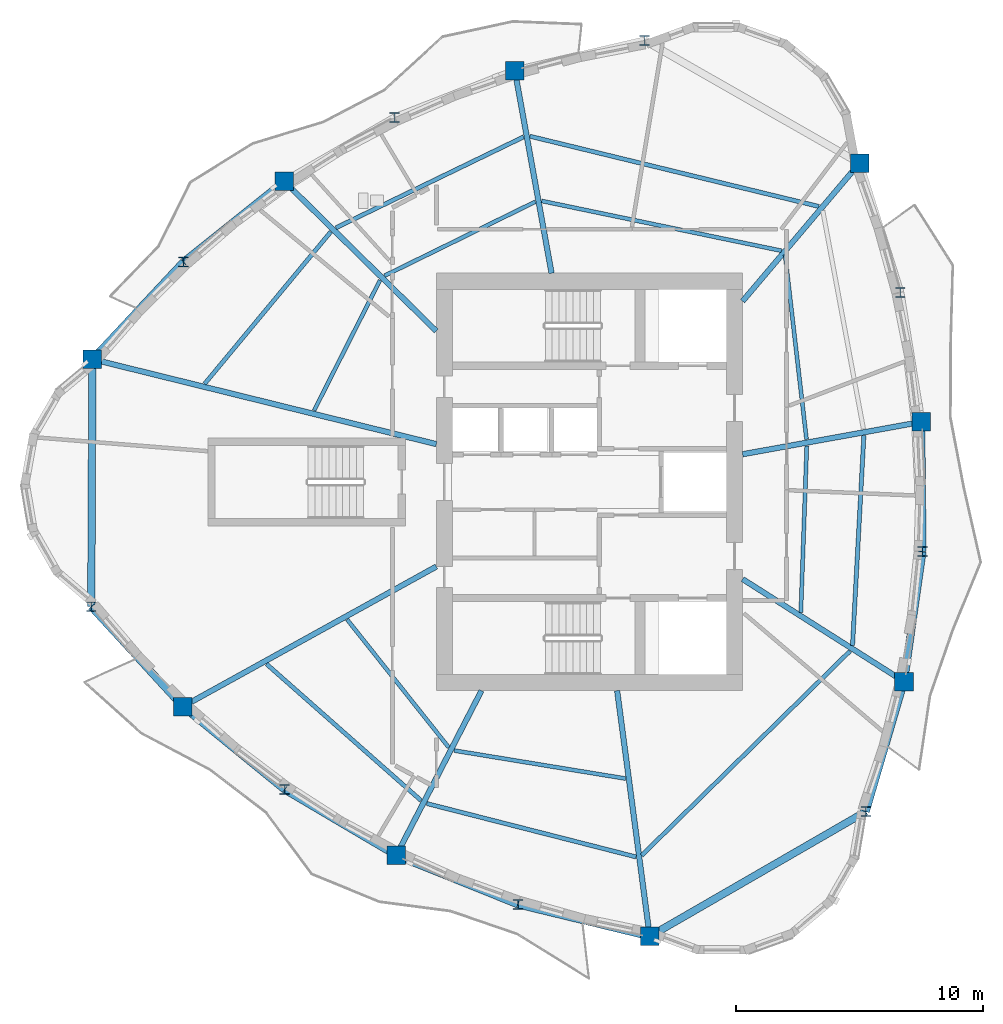
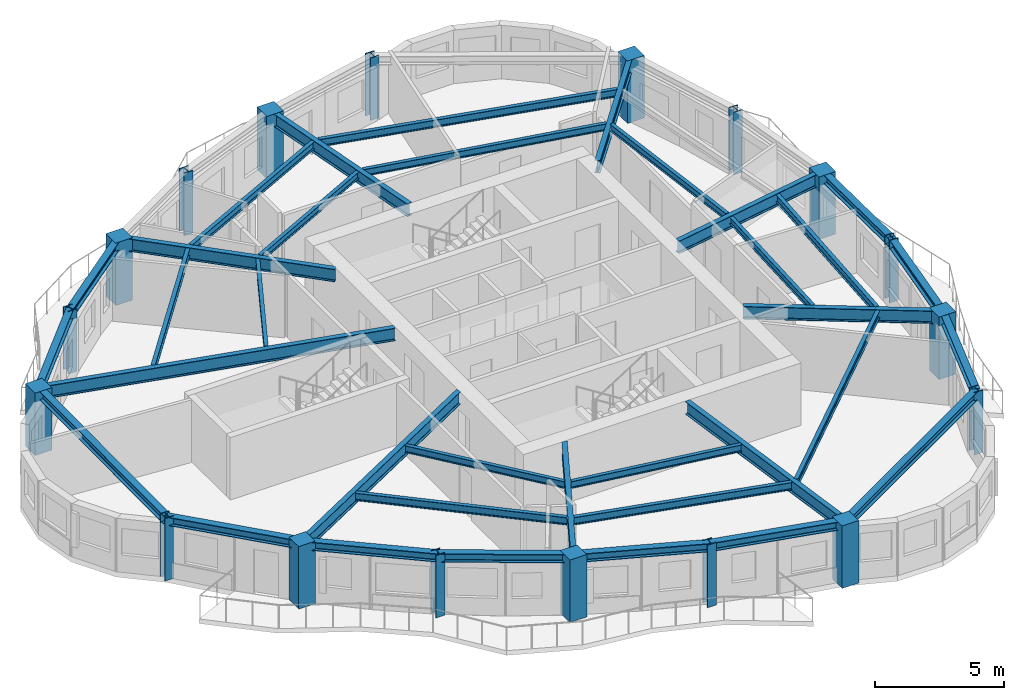
# One storey, part 1 of 11: 35 beams, 18 columns.
"""IFC4 building model written with IfcOpenShell, lengths in metres."""

from ifc_helpers import new_model, si_unit, direction, frame, origin, origin_2d, place, context, subcontext, project, spatial, rectangle, i_section, extrude, source, transform, mapped, material, material_profile, profile_set, type_object, element, save


model = new_model("IFC4")

# Units and contexts
model_context = context("Model", 3, precision=1e-05, world=origin(), true_north=direction((0.0, 1.0)))
body_context = subcontext(model_context, "Body", "Model", "MODEL_VIEW")
ifc_project = project(units=[si_unit("LENGTHUNIT", "METRE"), si_unit("AREAUNIT", "SQUARE_METRE"), si_unit("VOLUMEUNIT", "CUBIC_METRE"), si_unit("PLANEANGLEUNIT", "RADIAN"), si_unit("MASSUNIT", "GRAM", prefix="KILO")], contexts=[model_context])

# Site, building, storey
site_placement = place(None, origin())
site = spatial("IfcSite", under=ifc_project, at=site_placement, CompositionType="ELEMENT")
building_placement = place(site_placement, origin())
building = spatial("IfcBuilding", under=site, at=building_placement, Name="Qafzar Sky-Pleat Residences", CompositionType="ELEMENT")
storey_placement = place(building_placement, frame((0.0, 0.0, 165.0)))
storey = spatial("IfcBuildingStorey", under=building, at=storey_placement, Name="L49", CompositionType="ELEMENT", Elevation=165.0)

# Columns
ifc_material_1 = material(Name="Concrete C60/75", Category="concrete")
ifc_material_profile_1 = material_profile(ifc_material_1, rectangle(XDim=0.75, YDim=0.75, at=origin_2d()), Name="RC 750x750")
ifc_profile_set_1 = profile_set([ifc_material_profile_1], Name="Concrete C60/75")
column_type_1 = type_object("IfcColumnType", Name="COL-RC-750", PredefinedType="COLUMN", material=ifc_profile_set_1)
shared_shape_1 = source(origin(), body_context, "Body", "SweptSolid", [
    extrude(rectangle(XDim=0.75, YDim=0.75, at=origin_2d()), origin(), (0.0, 0.0, 1.0), 2.949951171875),
])
for number, where, z_axis, x_axis, name in (
    (1, (10.228515625, 30.96728515625, 0.0), (0.0, 0.0, 1.0), (1.0, 0.0, 0.0), "L49 Perimeter Mega Column 1"),
    (2, (13.890380859375, 16.905517578125, 0.0), (0.0, 0.0, 1.0), (1.0, 0.0, 0.0), "L49 Perimeter Mega Column 3"),
    (3, (22.528564453125, 10.879150390625, 0.0), (0.0, 0.0, 1.0), (1.0, 0.0, 0.0), "L49 Perimeter Mega Column 5"),
    (4, (32.789794921875, 7.602294921875, 0.0), (0.0, 0.0, 1.0), (1.0, 0.0, 0.0), "L49 Perimeter Mega Column 7"),
    (5, (43.08349609375, 17.91943359375, 0.0), (0.0, 0.0, 1.0), (1.0, 0.0, 0.0), "L49 Perimeter Mega Column 9"),
    (6, (43.77978515625, 28.428955078125, 0.0), (0.0, 0.0, 1.0), (1.0, 0.0, 0.0), "L49 Perimeter Mega Column 11"),
    (7, (41.28369140625, 38.907470703125, 0.0), (0.0, 0.0, 1.0), (1.0, 0.0, 0.0), "L49 Perimeter Mega Column 13"),
    (8, (27.328125, 42.652099609375, 0.0), (0.0, 0.0, 1.0), (1.0, 0.0, 0.0), "L49 Perimeter Mega Column 15"),
    (9, (17.99365234375, 38.168701171875, 0.0), (0.0, 0.0, 1.0), (1.0, 0.0, 0.0), "L49 Perimeter Mega Column 17"),
):
    element("IfcColumn", number, at=place(storey_placement, frame(where, z_axis=z_axis, x_axis=x_axis)), inside=storey, type_object=column_type_1, Name=name, PredefinedType="COLUMN", context=body_context, shape_type="MappedRepresentation", body=[
        mapped(shared_shape_1, transform((0.0, 0.0, 0.0), x_axis=(1.0, 0.0, 0.0), y_axis=(0.0, 1.0, 0.0), z_axis=(0.0, 0.0, 1.0), scale=1.0)),
    ])
ifc_material_2 = material(Name="Steel S355", Category="steel")
ifc_material_profile_2 = material_profile(ifc_material_2, i_section(OverallWidth=0.40087890625, OverallDepth=0.39892578125, WebThickness=0.02294921875, FlangeThickness=0.035888671875, FilletRadius=0.014892578125, at=origin_2d()), Name="HD 400x314")
ifc_profile_set_2 = profile_set([ifc_material_profile_2], Name="Steel S355")
column_type_2 = type_object("IfcColumnType", Name="COL-STL-HD314", PredefinedType="PILASTER", material=ifc_profile_set_2)
shared_shape_2 = source(origin(), body_context, "Body", "SweptSolid", [
    extrude(i_section(OverallWidth=0.40087890625, OverallDepth=0.39892578125, WebThickness=0.02294921875, FlangeThickness=0.035888671875, FilletRadius=0.014892578125, at=origin_2d()), origin(), (0.0, 0.0, 1.0), 2.949951171875),
])
for number, where, z_axis, x_axis, name in (
    (10, (10.179931640625, 20.94970703125, 0.0), (0.0, 0.0, 1.0), (1.0, 0.0, 0.0), "L49 Perimeter Mega Column 2"),
    (11, (18.006591796875, 13.548583984375, 0.0), (0.0, 0.0, 1.0), (1.0, 0.0, 0.0), "L49 Perimeter Mega Column 4"),
    (12, (27.456298828125, 8.897216796875, 0.0), (0.0, 0.0, 1.0), (1.0, 0.0, 0.0), "L49 Perimeter Mega Column 6"),
    (13, (41.5380859375, 12.653076171875, 0.0), (0.0, 0.0, 1.0), (1.0, 0.0, 0.0), "L49 Perimeter Mega Column 8"),
    (14, (43.830810546875, 23.177978515625, 0.0), (0.0, 0.0, 1.0), (1.0, 0.0, 0.0), "L49 Perimeter Mega Column 10"),
    (15, (42.930908203125, 33.672119140625, 0.0), (0.0, 0.0, 1.0), (1.0, 0.0, 0.0), "L49 Perimeter Mega Column 12"),
    (16, (32.583984375, 43.874267578125, 0.0), (0.0, 0.0, 1.0), (1.0, 0.0, 0.0), "L49 Perimeter Mega Column 14"),
    (17, (22.464599609375, 40.750244140625, 0.0), (0.0, 0.0, 1.0), (1.0, 0.0, 0.0), "L49 Perimeter Mega Column 16"),
    (18, (13.914794921875, 34.90771484375, 0.0), (0.0, 0.0, 1.0), (1.0, 0.0, 0.0), "L49 Perimeter Mega Column 18"),
):
    element("IfcColumn", number, at=place(storey_placement, frame(where, z_axis=z_axis, x_axis=x_axis)), inside=storey, type_object=column_type_2, Name=name, PredefinedType="PILASTER", context=body_context, shape_type="MappedRepresentation", body=[
        mapped(shared_shape_2, transform((0.0, 0.0, 0.0), x_axis=(1.0, 0.0, 0.0), y_axis=(0.0, 1.0, 0.0), z_axis=(0.0, 0.0, 1.0), scale=1.0)),
    ])

# Beams
ifc_material_profile_3 = material_profile(ifc_material_2, i_section(OverallWidth=0.300048828125, OverallDepth=0.39990234375, WebThickness=0.013427734375, FlangeThickness=0.02392578125, FilletRadius=0.027099609375, at=origin_2d()), Name="HEB 400")
ifc_profile_set_3 = profile_set([ifc_material_profile_3], Name="Steel S355")
beam_type_1 = type_object("IfcBeamType", Name="BM-SPAN-HEB400", PredefinedType="SPANDREL", material=ifc_profile_set_3)
shared_shape_3 = source(origin(), body_context, "Body", "SweptSolid", [
    extrude(i_section(OverallWidth=0.300048828125, OverallDepth=0.39990234375, WebThickness=0.013427734375, FlangeThickness=0.02392578125, FilletRadius=0.027099609375, at=origin_2d()), origin(), (0.0, 0.0, 1.0), 10.017578125),
])
beam_1_placement = place(storey_placement, frame((10.228515625, 30.96728515625, 2.748046875), z_axis=(-0.004849816233, -0.999988239572, 0.0), x_axis=(0.999988239572, -0.004849816233, 0.0)))
element("IfcBeam", 19, at=beam_1_placement, inside=storey, type_object=beam_type_1, Name="L49 Perimeter Spandrel Beam 1", PredefinedType="SPANDREL", context=body_context, shape_type="MappedRepresentation", body=[
    mapped(shared_shape_3, transform((0.0, 0.0, 0.0), x_axis=(1.0, 0.0, 0.0), y_axis=(0.0, 1.0, 0.0), z_axis=(0.0, 0.0, 1.0), scale=1.0)),
])
shared_shape_4 = source(origin(), body_context, "Body", "SweptSolid", [
    extrude(i_section(OverallWidth=0.300048828125, OverallDepth=0.39990234375, WebThickness=0.013427734375, FlangeThickness=0.02392578125, FilletRadius=0.027099609375, at=origin_2d()), origin(), (0.0, 0.0, 1.0), 5.488525390625),
])
for number, where, z_axis, x_axis, name in (
    (20, (10.179931640625, 20.94970703125, 2.748046875), (0.676048867567, -0.736856789791, 0.0), (0.736856789791, 0.676048867567, 0.0), "L49 Perimeter Spandrel Beam 2"),
    (21, (27.456298828125, 8.897216796875, 2.748046875), (0.971768566723, -0.235936120017, 0.0), (0.235936120017, 0.971768566723, 0.0), "L49 Perimeter Spandrel Beam 6"),
    (22, (41.5380859375, 12.653076171875, 2.748046875), (0.281576235799, 0.959538859783, 0.0), (-0.959538859783, 0.281576235799, 0.0), "L49 Perimeter Spandrel Beam 8"),
):
    element("IfcBeam", number, at=place(storey_placement, frame(where, z_axis=z_axis, x_axis=x_axis)), inside=storey, type_object=beam_type_1, Name=name, PredefinedType="SPANDREL", context=body_context, shape_type="MappedRepresentation", body=[
        mapped(shared_shape_4, transform((0.0, 0.0, 0.0), x_axis=(1.0, 0.0, 0.0), y_axis=(0.0, 1.0, 0.0), z_axis=(0.0, 0.0, 1.0), scale=1.0)),
    ])
shared_shape_5 = source(origin(), body_context, "Body", "SweptSolid", [
    extrude(i_section(OverallWidth=0.300048828125, OverallDepth=0.39990234375, WebThickness=0.013427734375, FlangeThickness=0.02392578125, FilletRadius=0.027099609375, at=origin_2d()), origin(), (0.0, 0.0, 1.0), 5.3115234375),
])
beam_2_placement = place(storey_placement, frame((13.890380859375, 16.905517578125, 2.748046875), z_axis=(0.774959807664, -0.632010519299, 0.0), x_axis=(0.632010519299, 0.774959807664, 0.0)))
element("IfcBeam", 23, at=beam_2_placement, inside=storey, type_object=beam_type_1, Name="L49 Perimeter Spandrel Beam 3", PredefinedType="SPANDREL", context=body_context, shape_type="MappedRepresentation", body=[
    mapped(shared_shape_5, transform((0.0, 0.0, 0.0), x_axis=(1.0, 0.0, 0.0), y_axis=(0.0, 1.0, 0.0), z_axis=(0.0, 0.0, 1.0), scale=1.0)),
])
shared_shape_6 = source(origin(), body_context, "Body", "SweptSolid", [
    extrude(i_section(OverallWidth=0.300048828125, OverallDepth=0.39990234375, WebThickness=0.013427734375, FlangeThickness=0.02392578125, FilletRadius=0.027099609375, at=origin_2d()), origin(), (0.0, 0.0, 1.0), 5.251220703125),
])
for number, where, z_axis, x_axis, name in (
    (24, (18.006591796875, 13.548583984375, 2.748046875), (0.861146738324, -0.508356464574, 0.0), (0.508356464574, 0.861146738324, 0.0), "L49 Perimeter Spandrel Beam 4"),
    (25, (43.830810546875, 23.177978515625, 2.748046875), (-0.009716855736, 0.999952790243, 0.0), (-0.999952790243, -0.009716855736, 0.0), "L49 Perimeter Spandrel Beam 10"),
):
    element("IfcBeam", number, at=place(storey_placement, frame(where, z_axis=z_axis, x_axis=x_axis)), inside=storey, type_object=beam_type_1, Name=name, PredefinedType="SPANDREL", context=body_context, shape_type="MappedRepresentation", body=[
        mapped(shared_shape_6, transform((0.0, 0.0, 0.0), x_axis=(1.0, 0.0, 0.0), y_axis=(0.0, 1.0, 0.0), z_axis=(0.0, 0.0, 1.0), scale=1.0)),
    ])
shared_shape_7 = source(origin(), body_context, "Body", "SweptSolid", [
    extrude(i_section(OverallWidth=0.300048828125, OverallDepth=0.39990234375, WebThickness=0.013427734375, FlangeThickness=0.02392578125, FilletRadius=0.027099609375, at=origin_2d()), origin(), (0.0, 0.0, 1.0), 5.311279296875),
])
for number, where, z_axis, x_axis, name in (
    (26, (22.528564453125, 10.879150390625, 2.748046875), (0.927771273555, -0.373149385589, 0.0), (0.373149385589, 0.927771273555, 0.0), "L49 Perimeter Spandrel Beam 5"),
    (27, (43.08349609375, 17.91943359375, 2.748046875), (0.140700578777, 0.990052194145, 0.0), (-0.990052194145, 0.140700578777, 0.0), "L49 Perimeter Spandrel Beam 9"),
):
    element("IfcBeam", number, at=place(storey_placement, frame(where, z_axis=z_axis, x_axis=x_axis)), inside=storey, type_object=beam_type_1, Name=name, PredefinedType="SPANDREL", context=body_context, shape_type="MappedRepresentation", body=[
        mapped(shared_shape_7, transform((0.0, 0.0, 0.0), x_axis=(1.0, 0.0, 0.0), y_axis=(0.0, 1.0, 0.0), z_axis=(0.0, 0.0, 1.0), scale=1.0)),
    ])
shared_shape_8 = source(origin(), body_context, "Body", "SweptSolid", [
    extrude(i_section(OverallWidth=0.300048828125, OverallDepth=0.39990234375, WebThickness=0.013427734375, FlangeThickness=0.02392578125, FilletRadius=0.027099609375, at=origin_2d()), origin(), (0.0, 0.0, 1.0), 10.1015625),
])
beam_3_placement = place(storey_placement, frame((32.789794921875, 7.602294921875, 2.748046875), z_axis=(0.866027415153, 0.499996516191, 0.0), x_axis=(-0.499996516191, 0.866027415153, 0.0)))
element("IfcBeam", 28, at=beam_3_placement, inside=storey, type_object=beam_type_1, Name="L49 Perimeter Spandrel Beam 7", PredefinedType="SPANDREL", context=body_context, shape_type="MappedRepresentation", body=[
    mapped(shared_shape_8, transform((0.0, 0.0, 0.0), x_axis=(1.0, 0.0, 0.0), y_axis=(0.0, 1.0, 0.0), z_axis=(0.0, 0.0, 1.0), scale=1.0)),
])
shared_shape_9 = source(origin(), body_context, "Body", "SweptSolid", [
    extrude(i_section(OverallWidth=0.300048828125, OverallDepth=0.39990234375, WebThickness=0.013427734375, FlangeThickness=0.02392578125, FilletRadius=0.027099609375, at=origin_2d()), origin(), (0.0, 0.0, 1.0), 5.39599609375),
])
beam_4_placement = place(storey_placement, frame((13.914794921875, 34.90771484375, 2.748046875), z_axis=(-0.683164134037, -0.730264860147, 0.0), x_axis=(0.730264860147, -0.683164134037, 0.0)))
element("IfcBeam", 29, at=beam_4_placement, inside=storey, type_object=beam_type_1, Name="L49 Perimeter Spandrel Beam 18", PredefinedType="SPANDREL", context=body_context, shape_type="MappedRepresentation", body=[
    mapped(shared_shape_9, transform((0.0, 0.0, 0.0), x_axis=(1.0, 0.0, 0.0), y_axis=(0.0, 1.0, 0.0), z_axis=(0.0, 0.0, 1.0), scale=1.0)),
])
shared_shape_10 = source(origin(), body_context, "Body", "SweptSolid", [
    extrude(i_section(OverallWidth=0.300048828125, OverallDepth=0.39990234375, WebThickness=0.013427734375, FlangeThickness=0.02392578125, FilletRadius=0.027099609375, at=origin_2d()), origin(), (0.0, 0.0, 1.0), 5.22216796875),
])
beam_5_placement = place(storey_placement, frame((17.99365234375, 38.168701171875, 2.748046875), z_axis=(-0.781064896086, -0.624449860359, 0.0), x_axis=(0.624449860359, -0.781064896086, 0.0)))
element("IfcBeam", 30, at=beam_5_placement, inside=storey, type_object=beam_type_1, Name="L49 Perimeter Spandrel Beam 17", PredefinedType="SPANDREL", context=body_context, shape_type="MappedRepresentation", body=[
    mapped(shared_shape_10, transform((0.0, 0.0, 0.0), x_axis=(1.0, 0.0, 0.0), y_axis=(0.0, 1.0, 0.0), z_axis=(0.0, 0.0, 1.0), scale=1.0)),
])
ifc_material_profile_4 = material_profile(ifc_material_2, i_section(OverallWidth=0.219970703125, OverallDepth=0.60009765625, WebThickness=0.011962890625, FlangeThickness=0.01904296875, FilletRadius=0.02392578125, at=origin_2d()), Name="IPE 600")
ifc_profile_set_4 = profile_set([ifc_material_profile_4], Name="Steel S355")
beam_type_2 = type_object("IfcBeamType", Name="BM-SEC-IPE600", PredefinedType="BEAM", material=ifc_profile_set_4)
shared_shape_11 = source(origin(), body_context, "Body", "SweptSolid", [
    extrude(i_section(OverallWidth=0.219970703125, OverallDepth=0.60009765625, WebThickness=0.011962890625, FlangeThickness=0.01904296875, FilletRadius=0.02392578125, at=origin_2d()), origin(), (0.0, 0.0, 1.0), 14.33935546875),
])
beam_6_placement = place(storey_placement, frame((10.228515625, 30.96728515625, 2.64794921875), z_axis=(0.970853373053, -0.239674212277, 0.0), x_axis=(0.239674212277, 0.970853373053, 0.0)))
element("IfcBeam", 31, at=beam_6_placement, inside=storey, type_object=beam_type_2, Name="L49 Radial Floor Girder 1", PredefinedType="BEAM", context=body_context, shape_type="MappedRepresentation", body=[
    mapped(shared_shape_11, transform((0.0, 0.0, 0.0), x_axis=(1.0, 0.0, 0.0), y_axis=(0.0, 1.0, 0.0), z_axis=(0.0, 0.0, 1.0), scale=1.0)),
])
shared_shape_12 = source(origin(), body_context, "Body", "SweptSolid", [
    extrude(i_section(OverallWidth=0.219970703125, OverallDepth=0.60009765625, WebThickness=0.011962890625, FlangeThickness=0.01904296875, FilletRadius=0.02392578125, at=origin_2d()), origin(), (0.0, 0.0, 1.0), 11.721435546875),
])
beam_7_placement = place(storey_placement, frame((13.890380859375, 16.905517578125, 2.64794921875), z_axis=(0.875278891654, 0.483618508563, 0.0), x_axis=(-0.483618508563, 0.875278891654, 0.0)))
element("IfcBeam", 32, at=beam_7_placement, inside=storey, type_object=beam_type_2, Name="L49 Radial Floor Girder 3", PredefinedType="BEAM", context=body_context, shape_type="MappedRepresentation", body=[
    mapped(shared_shape_12, transform((0.0, 0.0, 0.0), x_axis=(1.0, 0.0, 0.0), y_axis=(0.0, 1.0, 0.0), z_axis=(0.0, 0.0, 1.0), scale=1.0)),
])
shared_shape_13 = source(origin(), body_context, "Body", "SweptSolid", [
    extrude(i_section(OverallWidth=0.219970703125, OverallDepth=0.60009765625, WebThickness=0.011962890625, FlangeThickness=0.01904296875, FilletRadius=0.02392578125, at=origin_2d()), origin(), (0.0, 0.0, 1.0), 7.510498046875),
])
beam_8_placement = place(storey_placement, frame((22.528564453125, 10.879150390625, 2.64794921875), z_axis=(0.459420265868, 0.888219015395, 0.0), x_axis=(-0.888219015395, 0.459420265868, 0.0)))
element("IfcBeam", 33, at=beam_8_placement, inside=storey, type_object=beam_type_2, Name="L49 Radial Floor Girder 5", PredefinedType="BEAM", context=body_context, shape_type="MappedRepresentation", body=[
    mapped(shared_shape_13, transform((0.0, 0.0, 0.0), x_axis=(1.0, 0.0, 0.0), y_axis=(0.0, 1.0, 0.0), z_axis=(0.0, 0.0, 1.0), scale=1.0)),
])
shared_shape_14 = source(origin(), body_context, "Body", "SweptSolid", [
    extrude(i_section(OverallWidth=0.219970703125, OverallDepth=0.60009765625, WebThickness=0.011962890625, FlangeThickness=0.01904296875, FilletRadius=0.02392578125, at=origin_2d()), origin(), (0.0, 0.0, 1.0), 10.034912109375),
])
beam_9_placement = place(storey_placement, frame((32.789794921875, 7.602294921875, 2.64794921875), z_axis=(-0.131451336112, 0.991322624696, 0.0), x_axis=(-0.991322624696, -0.131451336112, 0.0)))
element("IfcBeam", 34, at=beam_9_placement, inside=storey, type_object=beam_type_2, Name="L49 Radial Floor Girder 7", PredefinedType="BEAM", context=body_context, shape_type="MappedRepresentation", body=[
    mapped(shared_shape_14, transform((0.0, 0.0, 0.0), x_axis=(1.0, 0.0, 0.0), y_axis=(0.0, 1.0, 0.0), z_axis=(0.0, 0.0, 1.0), scale=1.0)),
])
shared_shape_15 = source(origin(), body_context, "Body", "SweptSolid", [
    extrude(i_section(OverallWidth=0.219970703125, OverallDepth=0.60009765625, WebThickness=0.011962890625, FlangeThickness=0.01904296875, FilletRadius=0.02392578125, at=origin_2d()), origin(), (0.0, 0.0, 1.0), 7.73779296875),
])
beam_10_placement = place(storey_placement, frame((43.08349609375, 17.91943359375, 2.64794921875), z_axis=(-0.84434287058, 0.535803244579, 0.0), x_axis=(-0.535803244579, -0.84434287058, 0.0)))
element("IfcBeam", 35, at=beam_10_placement, inside=storey, type_object=beam_type_2, Name="L49 Radial Floor Girder 9", PredefinedType="BEAM", context=body_context, shape_type="MappedRepresentation", body=[
    mapped(shared_shape_15, transform((0.0, 0.0, 0.0), x_axis=(1.0, 0.0, 0.0), y_axis=(0.0, 1.0, 0.0), z_axis=(0.0, 0.0, 1.0), scale=1.0)),
])
shared_shape_16 = source(origin(), body_context, "Body", "SweptSolid", [
    extrude(i_section(OverallWidth=0.219970703125, OverallDepth=0.60009765625, WebThickness=0.011962890625, FlangeThickness=0.01904296875, FilletRadius=0.02392578125, at=origin_2d()), origin(), (0.0, 0.0, 1.0), 7.346923828125),
])
beam_11_placement = place(storey_placement, frame((43.77978515625, 28.428955078125, 2.64794921875), z_axis=(-0.984034312333, -0.1779788531, 0.0), x_axis=(0.1779788531, -0.984034312333, 0.0)))
element("IfcBeam", 36, at=beam_11_placement, inside=storey, type_object=beam_type_2, Name="L49 Radial Floor Girder 11", PredefinedType="BEAM", context=body_context, shape_type="MappedRepresentation", body=[
    mapped(shared_shape_16, transform((0.0, 0.0, 0.0), x_axis=(1.0, 0.0, 0.0), y_axis=(0.0, 1.0, 0.0), z_axis=(0.0, 0.0, 1.0), scale=1.0)),
])
shared_shape_17 = source(origin(), body_context, "Body", "SweptSolid", [
    extrude(i_section(OverallWidth=0.219970703125, OverallDepth=0.60009765625, WebThickness=0.011962890625, FlangeThickness=0.01904296875, FilletRadius=0.02392578125, at=origin_2d()), origin(), (0.0, 0.0, 1.0), 7.32373046875),
])
beam_12_placement = place(storey_placement, frame((41.28369140625, 38.907470703125, 2.64794921875), z_axis=(-0.646341144155, -0.763048573403, 0.0), x_axis=(0.763048573403, -0.646341144155, 0.0)))
element("IfcBeam", 37, at=beam_12_placement, inside=storey, type_object=beam_type_2, Name="L49 Radial Floor Girder 13", PredefinedType="BEAM", context=body_context, shape_type="MappedRepresentation", body=[
    mapped(shared_shape_17, transform((0.0, 0.0, 0.0), x_axis=(1.0, 0.0, 0.0), y_axis=(0.0, 1.0, 0.0), z_axis=(0.0, 0.0, 1.0), scale=1.0)),
])
shared_shape_18 = source(origin(), body_context, "Body", "SweptSolid", [
    extrude(i_section(OverallWidth=0.219970703125, OverallDepth=0.60009765625, WebThickness=0.011962890625, FlangeThickness=0.01904296875, FilletRadius=0.02392578125, at=origin_2d()), origin(), (0.0, 0.0, 1.0), 8.336181640625),
])
beam_13_placement = place(storey_placement, frame((27.328125, 42.652099609375, 2.64794921875), z_axis=(0.178534917352, -0.983933576664, 0.0), x_axis=(0.983933576664, 0.178534917352, 0.0)))
element("IfcBeam", 38, at=beam_13_placement, inside=storey, type_object=beam_type_2, Name="L49 Radial Floor Girder 15", PredefinedType="BEAM", context=body_context, shape_type="MappedRepresentation", body=[
    mapped(shared_shape_18, transform((0.0, 0.0, 0.0), x_axis=(1.0, 0.0, 0.0), y_axis=(0.0, 1.0, 0.0), z_axis=(0.0, 0.0, 1.0), scale=1.0)),
])
shared_shape_19 = source(origin(), body_context, "Body", "SweptSolid", [
    extrude(i_section(OverallWidth=0.219970703125, OverallDepth=0.60009765625, WebThickness=0.011962890625, FlangeThickness=0.01904296875, FilletRadius=0.02392578125, at=origin_2d()), origin(), (0.0, 0.0, 1.0), 8.640380859375),
])
beam_14_placement = place(storey_placement, frame((17.99365234375, 38.168701171875, 2.64794921875), z_axis=(0.712497054337, -0.701675101141, 0.0), x_axis=(0.701675101141, 0.712497054337, 0.0)))
element("IfcBeam", 39, at=beam_14_placement, inside=storey, type_object=beam_type_2, Name="L49 Radial Floor Girder 17", PredefinedType="BEAM", context=body_context, shape_type="MappedRepresentation", body=[
    mapped(shared_shape_19, transform((0.0, 0.0, 0.0), x_axis=(1.0, 0.0, 0.0), y_axis=(0.0, 1.0, 0.0), z_axis=(0.0, 0.0, 1.0), scale=1.0)),
])
ifc_material_profile_5 = material_profile(ifc_material_2, i_section(OverallWidth=0.169921875, OverallDepth=0.360107421875, WebThickness=0.008056640625, FlangeThickness=0.0126953125, FilletRadius=0.01806640625, at=origin_2d()), Name="IPE 360")
ifc_profile_set_5 = profile_set([ifc_material_profile_5], Name="Steel S355")
beam_type_3 = type_object("IfcBeamType", Name="BM-JST-IPE360", PredefinedType="JOIST", material=ifc_profile_set_5)
shared_shape_20 = source(origin(), body_context, "Body", "SweptSolid", [
    extrude(i_section(OverallWidth=0.169921875, OverallDepth=0.360107421875, WebThickness=0.008056640625, FlangeThickness=0.0126953125, FilletRadius=0.01806640625, at=origin_2d()), origin(), (0.0, 0.0, 1.0), 8.348388671875),
])
beam_15_placement = place(storey_placement, frame((17.274658203125, 18.630126953125, 2.76806640625), z_axis=(0.74947417914, -0.662033575284, 0.0), x_axis=(0.662033575284, 0.74947417914, 0.0)))
element("IfcBeam", 40, at=beam_15_placement, inside=storey, type_object=beam_type_3, Name="L49 Outer Secondary Floor Joist 2", PredefinedType="JOIST", context=body_context, shape_type="MappedRepresentation", body=[
    mapped(shared_shape_20, transform((0.0, 0.0, 0.0), x_axis=(1.0, 0.0, 0.0), y_axis=(0.0, 1.0, 0.0), z_axis=(0.0, 0.0, 1.0), scale=1.0)),
])
shared_shape_21 = source(origin(), body_context, "Body", "SweptSolid", [
    extrude(i_section(OverallWidth=0.169921875, OverallDepth=0.360107421875, WebThickness=0.008056640625, FlangeThickness=0.0126953125, FilletRadius=0.01806640625, at=origin_2d()), origin(), (0.0, 0.0, 1.0), 8.74462890625),
])
beam_16_placement = place(storey_placement, frame((23.763671875, 12.98046875, 2.76806640625), z_axis=(0.968965249171, -0.247196977933, 0.0), x_axis=(0.247196977933, 0.968965249171, 0.0)))
element("IfcBeam", 41, at=beam_16_placement, inside=storey, type_object=beam_type_3, Name="L49 Outer Secondary Floor Joist 3", PredefinedType="JOIST", context=body_context, shape_type="MappedRepresentation", body=[
    mapped(shared_shape_21, transform((0.0, 0.0, 0.0), x_axis=(1.0, 0.0, 0.0), y_axis=(0.0, 1.0, 0.0), z_axis=(0.0, 0.0, 1.0), scale=1.0)),
])
shared_shape_22 = source(origin(), body_context, "Body", "SweptSolid", [
    extrude(i_section(OverallWidth=0.169921875, OverallDepth=0.360107421875, WebThickness=0.008056640625, FlangeThickness=0.0126953125, FilletRadius=0.01806640625, at=origin_2d()), origin(), (0.0, 0.0, 1.0), 11.811767578125),
])
beam_17_placement = place(storey_placement, frame((32.464111328125, 10.880126953125, 2.76806640625), z_axis=(0.713874262527, 0.700273901628, 0.0), x_axis=(-0.700273901628, 0.713874262527, 0.0)))
element("IfcBeam", 42, at=beam_17_placement, inside=storey, type_object=beam_type_3, Name="L49 Outer Secondary Floor Joist 4", PredefinedType="JOIST", context=body_context, shape_type="MappedRepresentation", body=[
    mapped(shared_shape_22, transform((0.0, 0.0, 0.0), x_axis=(1.0, 0.0, 0.0), y_axis=(0.0, 1.0, 0.0), z_axis=(0.0, 0.0, 1.0), scale=1.0)),
])
shared_shape_23 = source(origin(), body_context, "Body", "SweptSolid", [
    extrude(i_section(OverallWidth=0.169921875, OverallDepth=0.360107421875, WebThickness=0.008056640625, FlangeThickness=0.0126953125, FilletRadius=0.01806640625, at=origin_2d()), origin(), (0.0, 0.0, 1.0), 8.507080078125),
])
beam_18_placement = place(storey_placement, frame((41.0, 19.381103515625, 2.76806640625), z_axis=(0.05395360332, 0.998543443566, 0.0), x_axis=(-0.998543443566, 0.05395360332, 0.0)))
element("IfcBeam", 43, at=beam_18_placement, inside=storey, type_object=beam_type_3, Name="L49 Outer Secondary Floor Joist 5", PredefinedType="JOIST", context=body_context, shape_type="MappedRepresentation", body=[
    mapped(shared_shape_23, transform((0.0, 0.0, 0.0), x_axis=(1.0, 0.0, 0.0), y_axis=(0.0, 1.0, 0.0), z_axis=(0.0, 0.0, 1.0), scale=1.0)),
])
shared_shape_24 = source(origin(), body_context, "Body", "SweptSolid", [
    extrude(i_section(OverallWidth=0.169921875, OverallDepth=0.360107421875, WebThickness=0.008056640625, FlangeThickness=0.0126953125, FilletRadius=0.01806640625, at=origin_2d()), origin(), (0.0, 0.0, 1.0), 12.04296875),
])
beam_19_placement = place(storey_placement, frame((39.6376953125, 37.151123046875, 2.76806640625), z_axis=(-0.971705465464, 0.236195868692, 0.0), x_axis=(-0.236195868692, -0.971705465464, 0.0)))
element("IfcBeam", 44, at=beam_19_placement, inside=storey, type_object=beam_type_3, Name="L49 Outer Secondary Floor Joist 7", PredefinedType="JOIST", context=body_context, shape_type="MappedRepresentation", body=[
    mapped(shared_shape_24, transform((0.0, 0.0, 0.0), x_axis=(1.0, 0.0, 0.0), y_axis=(0.0, 1.0, 0.0), z_axis=(0.0, 0.0, 1.0), scale=1.0)),
])
shared_shape_25 = source(origin(), body_context, "Body", "SweptSolid", [
    extrude(i_section(OverallWidth=0.169921875, OverallDepth=0.360107421875, WebThickness=0.008056640625, FlangeThickness=0.0126953125, FilletRadius=0.01806640625, at=origin_2d()), origin(), (0.0, 0.0, 1.0), 8.4423828125),
])
beam_20_placement = place(storey_placement, frame((27.682861328125, 39.968505859375, 2.76806640625), z_axis=(-0.899944447628, -0.436004577021, 0.0), x_axis=(0.436004577021, -0.899944447628, 0.0)))
element("IfcBeam", 45, at=beam_20_placement, inside=storey, type_object=beam_type_3, Name="L49 Outer Secondary Floor Joist 8", PredefinedType="JOIST", context=body_context, shape_type="MappedRepresentation", body=[
    mapped(shared_shape_25, transform((0.0, 0.0, 0.0), x_axis=(1.0, 0.0, 0.0), y_axis=(0.0, 1.0, 0.0), z_axis=(0.0, 0.0, 1.0), scale=1.0)),
])
shared_shape_26 = source(origin(), body_context, "Body", "SweptSolid", [
    extrude(i_section(OverallWidth=0.169921875, OverallDepth=0.360107421875, WebThickness=0.008056640625, FlangeThickness=0.0126953125, FilletRadius=0.01806640625, at=origin_2d()), origin(), (0.0, 0.0, 1.0), 7.997314453125),
])
beam_21_placement = place(storey_placement, frame((19.87744140625, 36.124755859375, 2.76806640625), z_axis=(-0.638702862471, -0.769453477133, 0.0), x_axis=(0.769453477133, -0.638702862471, 0.0)))
element("IfcBeam", 46, at=beam_21_placement, inside=storey, type_object=beam_type_3, Name="L49 Outer Secondary Floor Joist 9", PredefinedType="JOIST", context=body_context, shape_type="MappedRepresentation", body=[
    mapped(shared_shape_26, transform((0.0, 0.0, 0.0), x_axis=(1.0, 0.0, 0.0), y_axis=(0.0, 1.0, 0.0), z_axis=(0.0, 0.0, 1.0), scale=1.0)),
])
ifc_material_profile_6 = material_profile(ifc_material_2, i_section(OverallWidth=0.159912109375, OverallDepth=0.330078125, WebThickness=0.007568359375, FlangeThickness=0.011474609375, FilletRadius=0.01806640625, at=origin_2d()), Name="IPE 330")
ifc_profile_set_6 = profile_set([ifc_material_profile_6], Name="Steel S355")
beam_type_4 = type_object("IfcBeamType", Name="BM-JST-IPE330", PredefinedType="JOIST", material=ifc_profile_set_6)
shared_shape_27 = source(origin(), body_context, "Body", "SweptSolid", [
    extrude(i_section(OverallWidth=0.159912109375, OverallDepth=0.330078125, WebThickness=0.007568359375, FlangeThickness=0.011474609375, FilletRadius=0.01806640625, at=origin_2d()), origin(), (0.0, 0.0, 1.0), 6.609130859375),
])
beam_22_placement = place(storey_placement, frame((20.54052734375, 20.427978515625, 2.782958984375), z_axis=(0.622223229202, -0.782839864239, 0.0), x_axis=(0.782839864239, 0.622223229202, 0.0)))
element("IfcBeam", 47, at=beam_22_placement, inside=storey, type_object=beam_type_4, Name="L49 Inner Secondary Floor Joist 2", PredefinedType="JOIST", context=body_context, shape_type="MappedRepresentation", body=[
    mapped(shared_shape_27, transform((0.0, 0.0, 0.0), x_axis=(1.0, 0.0, 0.0), y_axis=(0.0, 1.0, 0.0), z_axis=(0.0, 0.0, 1.0), scale=1.0)),
])
shared_shape_28 = source(origin(), body_context, "Body", "SweptSolid", [
    extrude(i_section(OverallWidth=0.159912109375, OverallDepth=0.330078125, WebThickness=0.007568359375, FlangeThickness=0.011474609375, FilletRadius=0.01806640625, at=origin_2d()), origin(), (0.0, 0.0, 1.0), 7.034423828125),
])
beam_23_placement = place(storey_placement, frame((24.8701171875, 15.126708984375, 2.782958984375), z_axis=(0.986869051238, -0.161522369068, 0.0), x_axis=(0.161522369068, 0.986869051238, 0.0)))
element("IfcBeam", 48, at=beam_23_placement, inside=storey, type_object=beam_type_4, Name="L49 Inner Secondary Floor Joist 3", PredefinedType="JOIST", context=body_context, shape_type="MappedRepresentation", body=[
    mapped(shared_shape_28, transform((0.0, 0.0, 0.0), x_axis=(1.0, 0.0, 0.0), y_axis=(0.0, 1.0, 0.0), z_axis=(0.0, 0.0, 1.0), scale=1.0)),
])
shared_shape_29 = source(origin(), body_context, "Body", "SweptSolid", [
    extrude(i_section(OverallWidth=0.159912109375, OverallDepth=0.330078125, WebThickness=0.007568359375, FlangeThickness=0.011474609375, FilletRadius=0.01806640625, at=origin_2d()), origin(), (0.0, 0.0, 1.0), 6.753662109375),
])
beam_24_placement = place(storey_placement, frame((38.90673828125, 20.707763671875, 2.782958984375), z_axis=(0.035716029493, 0.999361979083, 0.0), x_axis=(-0.999361979083, 0.035716029493, 0.0)))
element("IfcBeam", 49, at=beam_24_placement, inside=storey, type_object=beam_type_4, Name="L49 Inner Secondary Floor Joist 5", PredefinedType="JOIST", context=body_context, shape_type="MappedRepresentation", body=[
    mapped(shared_shape_29, transform((0.0, 0.0, 0.0), x_axis=(1.0, 0.0, 0.0), y_axis=(0.0, 1.0, 0.0), z_axis=(0.0, 0.0, 1.0), scale=1.0)),
])
shared_shape_30 = source(origin(), body_context, "Body", "SweptSolid", [
    extrude(i_section(OverallWidth=0.159912109375, OverallDepth=0.330078125, WebThickness=0.007568359375, FlangeThickness=0.011474609375, FilletRadius=0.01806640625, at=origin_2d()), origin(), (0.0, 0.0, 1.0), 7.521240234375),
])
beam_25_placement = place(storey_placement, frame((39.13720703125, 27.72607421875, 2.782958984375), z_axis=(-0.115332525594, 0.993326939401, 0.0), x_axis=(-0.993326939401, -0.115332525594, 0.0)))
element("IfcBeam", 50, at=beam_25_placement, inside=storey, type_object=beam_type_4, Name="L49 Inner Secondary Floor Joist 6", PredefinedType="JOIST", context=body_context, shape_type="MappedRepresentation", body=[
    mapped(shared_shape_30, transform((0.0, 0.0, 0.0), x_axis=(1.0, 0.0, 0.0), y_axis=(0.0, 1.0, 0.0), z_axis=(0.0, 0.0, 1.0), scale=1.0)),
])
shared_shape_31 = source(origin(), body_context, "Body", "SweptSolid", [
    extrude(i_section(OverallWidth=0.159912109375, OverallDepth=0.330078125, WebThickness=0.007568359375, FlangeThickness=0.011474609375, FilletRadius=0.01806640625, at=origin_2d()), origin(), (0.0, 0.0, 1.0), 9.91650390625),
])
beam_26_placement = place(storey_placement, frame((38.1220703125, 35.3583984375, 2.782958984375), z_axis=(-0.979099254945, 0.203383010513, 0.0), x_axis=(-0.203383010513, -0.979099254945, 0.0)))
element("IfcBeam", 51, at=beam_26_placement, inside=storey, type_object=beam_type_4, Name="L49 Inner Secondary Floor Joist 7", PredefinedType="JOIST", context=body_context, shape_type="MappedRepresentation", body=[
    mapped(shared_shape_31, transform((0.0, 0.0, 0.0), x_axis=(1.0, 0.0, 0.0), y_axis=(0.0, 1.0, 0.0), z_axis=(0.0, 0.0, 1.0), scale=1.0)),
])
shared_shape_32 = source(origin(), body_context, "Body", "SweptSolid", [
    extrude(i_section(OverallWidth=0.159912109375, OverallDepth=0.330078125, WebThickness=0.007568359375, FlangeThickness=0.011474609375, FilletRadius=0.01806640625, at=origin_2d()), origin(), (0.0, 0.0, 1.0), 6.7998046875),
])
beam_27_placement = place(storey_placement, frame((28.159423828125, 37.34326171875, 2.782958984375), z_axis=(-0.897748422934, -0.440508534673, 0.0), x_axis=(0.440508534673, -0.897748422934, 0.0)))
element("IfcBeam", 52, at=beam_27_placement, inside=storey, type_object=beam_type_4, Name="L49 Inner Secondary Floor Joist 8", PredefinedType="JOIST", context=body_context, shape_type="MappedRepresentation", body=[
    mapped(shared_shape_32, transform((0.0, 0.0, 0.0), x_axis=(1.0, 0.0, 0.0), y_axis=(0.0, 1.0, 0.0), z_axis=(0.0, 0.0, 1.0), scale=1.0)),
])
shared_shape_33 = source(origin(), body_context, "Body", "SweptSolid", [
    extrude(i_section(OverallWidth=0.159912109375, OverallDepth=0.330078125, WebThickness=0.007568359375, FlangeThickness=0.011474609375, FilletRadius=0.01806640625, at=origin_2d()), origin(), (0.0, 0.0, 1.0), 5.91845703125),
])
beam_28_placement = place(storey_placement, frame((21.872802734375, 34.168212890625, 2.782958984375), z_axis=(-0.451745508598, -0.892146846355, 0.0), x_axis=(0.892146846355, -0.451745508598, 0.0)))
element("IfcBeam", 53, at=beam_28_placement, inside=storey, type_object=beam_type_4, Name="L49 Inner Secondary Floor Joist 9", PredefinedType="JOIST", context=body_context, shape_type="MappedRepresentation", body=[
    mapped(shared_shape_33, transform((0.0, 0.0, 0.0), x_axis=(1.0, 0.0, 0.0), y_axis=(0.0, 1.0, 0.0), z_axis=(0.0, 0.0, 1.0), scale=1.0)),
])

save(model, "model.ifc")
